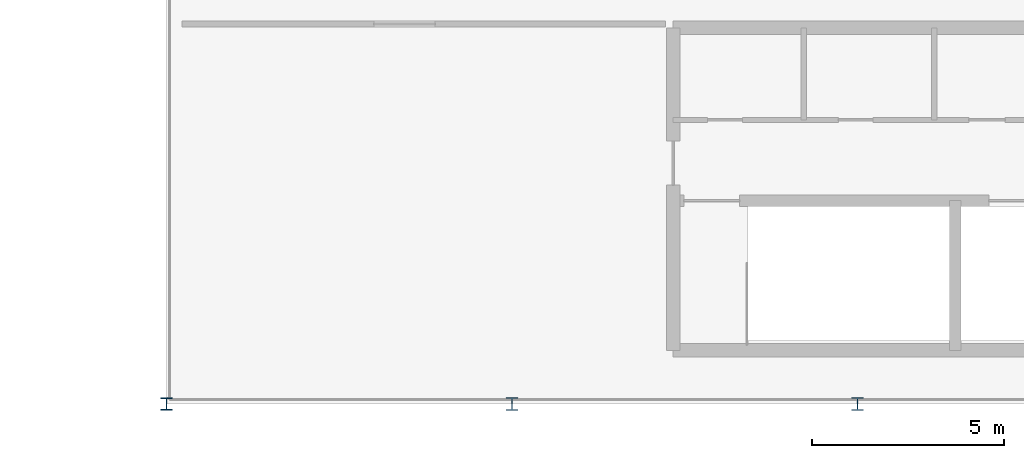
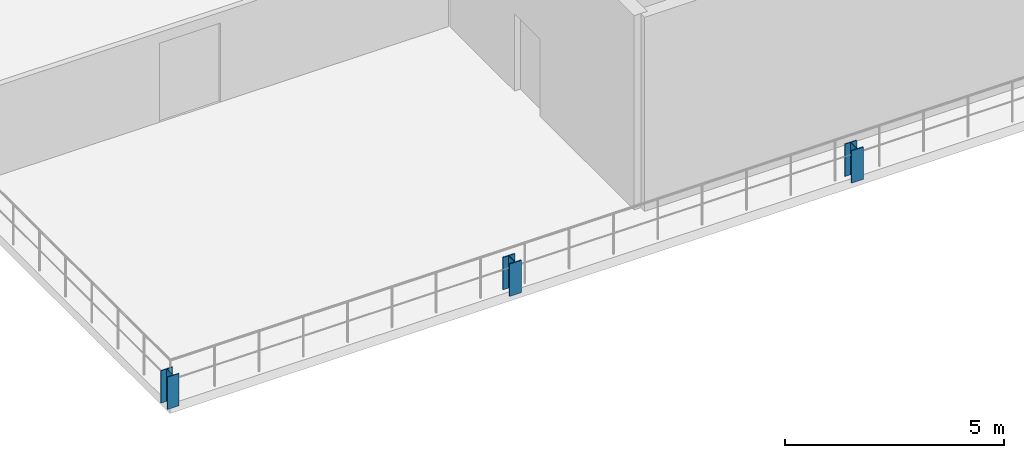
# One storey, part 1 of 97: 3 columns.
"""IFC4 building model written with IfcOpenShell, lengths in metres."""

from ifc_helpers import new_model, si_unit, derived_unit, direction, frame, origin, origin_2d, place, context, subcontext, project, spatial, i_section, extrude, material, material_profile, profile_set, type_object, element, save


model = new_model("IFC4")

# Units and contexts
model_context = context("Model", 3, precision=1e-05, world=origin(), true_north=direction((0.0, 1.0)))
body_context = subcontext(model_context, "Body", "Model", "MODEL_VIEW")
ifc_project = project(units=[si_unit("LENGTHUNIT", "METRE"), si_unit("AREAUNIT", "SQUARE_METRE"), si_unit("VOLUMEUNIT", "CUBIC_METRE"), si_unit("PLANEANGLEUNIT", "RADIAN"), si_unit("MASSUNIT", "GRAM", prefix="KILO"), derived_unit("THERMALTRANSMITTANCEUNIT", [(si_unit("POWERUNIT", "WATT"), 1), (si_unit("LENGTHUNIT", "METRE"), -2), (si_unit("THERMODYNAMICTEMPERATUREUNIT", "KELVIN"), -1)])], contexts=[model_context])

# Site, building, storey
site_placement = place(None, origin())
site = spatial("IfcSite", under=ifc_project, at=site_placement, CompositionType="ELEMENT")
building_placement = place(site_placement, origin())
building = spatial("IfcBuilding", under=site, at=building_placement, Name="Almenara Railside Exhibition Hall", CompositionType="ELEMENT")
storey_placement = place(building_placement, frame((0.0, 0.0, 10.800048828125)))
storey = spatial("IfcBuildingStorey", under=building, at=storey_placement, Name="L02", CompositionType="ELEMENT", Elevation=10.800048828125)

# Columns
ifc_material = material(Name="Structural steel S355JR", Category="steel")
ifc_material_profile_1 = material_profile(ifc_material, i_section(OverallWidth=0.307373046875, OverallDepth=0.314453125, WebThickness=0.011962890625, FlangeThickness=0.018798828125, FilletRadius=0.01513671875, at=origin_2d()), Name="UC 305x305x118")
ifc_profile_set_1 = profile_set([ifc_material_profile_1], Name="Structural steel S355JR")
column_type_1 = type_object("IfcColumnType", Name="Steel Column UC 305x305x118 S355JR", PredefinedType="COLUMN", material=ifc_profile_set_1)
column_placement = place(storey_placement, frame((39.0, 0.0, 0.0), z_axis=(0.0, 0.0, 1.0), x_axis=(1.0, 0.0, 0.0)))
element("IfcColumn", 1, at=column_placement, inside=storey, type_object=column_type_1, Name="Column 0163", PredefinedType="COLUMN", context=body_context, shape_type="SweptSolid", body=[
    extrude(i_section(OverallWidth=0.307373046875, OverallDepth=0.314453125, WebThickness=0.011962890625, FlangeThickness=0.018798828125, FilletRadius=0.01513671875, at=origin_2d()), origin(), (0.0, 0.0, 1.0), 0.89990234375),
])
ifc_material_profile_2 = material_profile(ifc_material, i_section(OverallWidth=0.311279296875, OverallDepth=0.3271484375, WebThickness=0.015869140625, FlangeThickness=0.02490234375, FilletRadius=0.01513671875, at=origin_2d()), Name="UC 305x305x158")
ifc_profile_set_2 = profile_set([ifc_material_profile_2], Name="Structural steel S355JR")
column_type_2 = type_object("IfcColumnType", Name="Steel Column UC 305x305x158 S355JR", PredefinedType="COLUMN", material=ifc_profile_set_2)
for number, where, z_axis, x_axis, name in (
    (2, (48.0, 0.0, 0.0), (0.0, 0.0, 1.0), (1.0, 0.0, 0.0), "Column 0171"),
    (3, (57.0, 0.0, 0.0), (0.0, 0.0, 1.0), (1.0, 0.0, 0.0), "Column 0179"),
):
    element("IfcColumn", number, at=place(storey_placement, frame(where, z_axis=z_axis, x_axis=x_axis)), inside=storey, type_object=column_type_2, Name=name, PredefinedType="COLUMN", context=body_context, shape_type="SweptSolid", body=[
        extrude(i_section(OverallWidth=0.311279296875, OverallDepth=0.3271484375, WebThickness=0.015869140625, FlangeThickness=0.02490234375, FilletRadius=0.01513671875, at=origin_2d()), origin(), (0.0, 0.0, 1.0), 0.89990234375),
    ])

save(model, "model.ifc")
